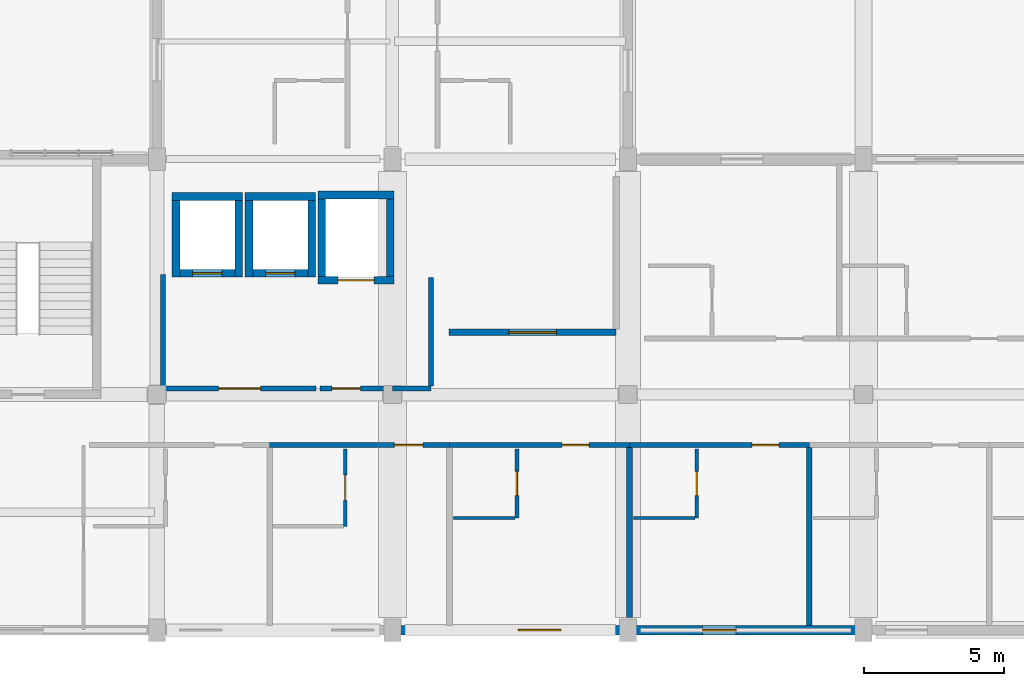
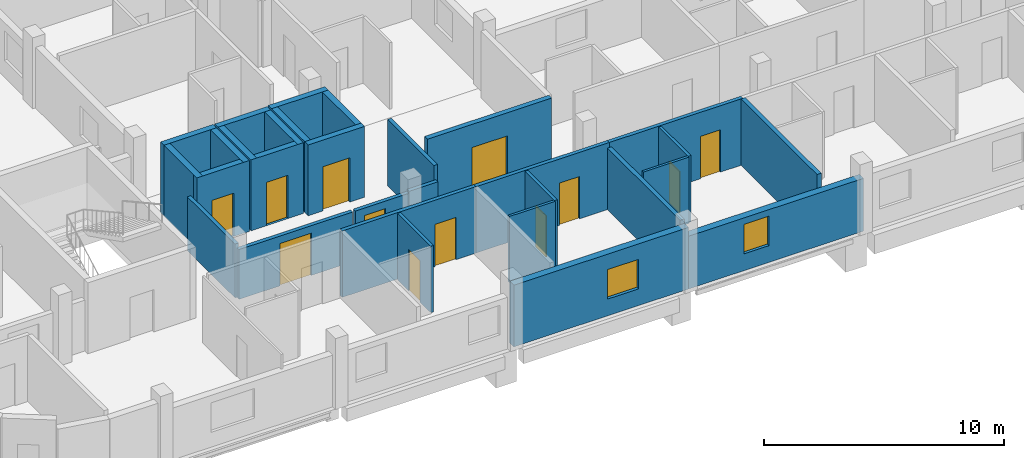
# One storey, part 28 of 42: 30 walls, 12 doors, 2 windows, 14 openings.
"""IFC4 building model written with IfcOpenShell, lengths in metres."""

from ifc_helpers import new_model, si_unit, derived_unit, direction, frame, frame_2d, origin, place, context, subcontext, project, spatial, rectangle, extrude, material, layer, layer_set, type_object, element, fill, save


model = new_model("IFC4")

# Units and contexts
model_context = context("Model", 3, precision=1e-05, world=origin(), true_north=direction((0.0, 1.0)))
body_context = subcontext(model_context, "Body", "Model", "MODEL_VIEW")
ifc_project = project(units=[si_unit("LENGTHUNIT", "METRE"), si_unit("AREAUNIT", "SQUARE_METRE"), si_unit("VOLUMEUNIT", "CUBIC_METRE"), si_unit("PLANEANGLEUNIT", "RADIAN"), si_unit("MASSUNIT", "GRAM", prefix="KILO"), derived_unit("THERMALTRANSMITTANCEUNIT", [(si_unit("POWERUNIT", "WATT"), 1), (si_unit("LENGTHUNIT", "METRE"), -2), (si_unit("THERMODYNAMICTEMPERATUREUNIT", "KELVIN"), -1)])], contexts=[model_context])

# Site, building, storey
site_placement = place(None, origin())
site = spatial("IfcSite", under=ifc_project, at=site_placement, CompositionType="ELEMENT")
building_placement = place(site_placement, origin())
building = spatial("IfcBuilding", under=site, at=building_placement, Name="Barrovel Congress Hotel", CompositionType="ELEMENT")
storey_placement = place(building_placement, frame((0.0, 0.0, 18.300048828125)))
storey = spatial("IfcBuildingStorey", under=building, at=storey_placement, Name="L04", CompositionType="ELEMENT", Elevation=18.300048828125)

# Wall, opening, window
ifc_material_1 = material(Name="Fired Clay Brick Masonry", Category="masonry")
ifc_layer_1 = layer(ifc_material_1, 0.340087890625)
ifc_layer_set_1 = layer_set([ifc_layer_1], Name="Fired Clay Brick Masonry")
wall_type_1 = type_object("IfcWallType", Name="EW-BRK340", PredefinedType="STANDARD", material=ifc_layer_set_1)
wall_1_placement = place(storey_placement, frame((42.0, 4.199951171875, 0.0), z_axis=(0.0, 0.0, 1.0), x_axis=(1.0, 0.0, 0.0)))
wall_1 = element("IfcWall", 1, at=wall_1_placement, inside=storey, type_object=wall_type_1, Name="EW:L04:HS-S:P03", PredefinedType="STANDARD", context=body_context, shape_type="SweptSolid", body=[
    extrude(rectangle(XDim=8.39990234375, YDim=0.340087890625, at=frame_2d((4.199951171875, 0.0))), origin(), (0.0, 0.0, 1.0), 3.133056640625),
])
opening_1_placement = place(wall_1_placement, frame((4.49560546875, 0.0, 0.85009765625)))
opening_1 = element("IfcOpeningElement", 2, at=opening_1_placement, cuts=wall_1, Name="Opening WN-07", PredefinedType="OPENING", context=body_context, shape_type="SweptSolid", body=[
    extrude(rectangle(XDim=1.5, YDim=1.5, at=frame_2d((0.75, 0.75))), frame((0.0, 0.18017578125, 0.0), z_axis=(0.0, -1.0, 0.0), x_axis=(1.0, 0.0, 0.0)), (0.0, 0.0, 1.0), 0.360107421875),
])
ifc_material_2 = material(Name="Double Low-E Insulated Glazing", Category="glass")
window_type_1 = type_object("IfcWindowType", Name="WIN-WN-07", PartitioningType="SINGLE_PANEL", PredefinedType="WINDOW", material=ifc_material_2)
window_1_placement = place(opening_1_placement, origin())
window_1 = element("IfcWindow", 3, at=window_1_placement, inside=storey, type_object=window_type_1, Name="WIN:L04:U04", OverallHeight=1.5, OverallWidth=1.5, PartitioningType="SINGLE_PANEL", PredefinedType="WINDOW", context=body_context, shape_type="SweptSolid", body=[
    extrude(rectangle(XDim=1.5, YDim=1.5, at=frame_2d((0.75, 0.75))), frame((0.0, 0.030029296875, 0.0), z_axis=(0.0, -1.0, 0.0), x_axis=(1.0, 0.0, 0.0)), (0.0, 0.0, 1.0), 0.06005859375),
])
fill(opening_1, window_1)

wall_2_placement = place(storey_placement, frame((50.39990234375, 4.199951171875, 0.0), z_axis=(0.0, 0.0, 1.0), x_axis=(1.0, 0.0, 0.0)))
wall_2 = element("IfcWall", 4, at=wall_2_placement, inside=storey, type_object=wall_type_1, Name="EW:L04:HS-S:P04", PredefinedType="STANDARD", context=body_context, shape_type="SweptSolid", body=[
    extrude(rectangle(XDim=8.400146484375, YDim=0.340087890625, at=frame_2d((4.2001953125, 0.0))), origin(), (0.0, 0.0, 1.0), 2.679931640625),
])
opening_2_placement = place(wall_2_placement, frame((2.66357421875, 0.0, 0.85009765625)))
opening_2 = element("IfcOpeningElement", 5, at=opening_2_placement, cuts=wall_2, Name="Opening WN-06", PredefinedType="OPENING", context=body_context, shape_type="SweptSolid", body=[
    extrude(rectangle(XDim=1.199951171875, YDim=1.5, at=frame_2d((0.60009765625, 0.75))), frame((0.0, 0.18017578125, 0.0), z_axis=(0.0, -1.0, 0.0), x_axis=(1.0, 0.0, 0.0)), (0.0, 0.0, 1.0), 0.360107421875),
])
window_type_2 = type_object("IfcWindowType", Name="WIN-WN-06", PartitioningType="SINGLE_PANEL", PredefinedType="WINDOW", material=ifc_material_2)
window_2_placement = place(opening_2_placement, origin())
window_2 = element("IfcWindow", 6, at=window_2_placement, inside=storey, type_object=window_type_2, Name="WIN:L04:U05", OverallHeight=1.5, OverallWidth=1.199951171875, PartitioningType="SINGLE_PANEL", PredefinedType="WINDOW", context=body_context, shape_type="SweptSolid", body=[
    extrude(rectangle(XDim=1.199951171875, YDim=1.5, at=frame_2d((0.60009765625, 0.75))), frame((0.0, 0.030029296875, 0.0), z_axis=(0.0, -1.0, 0.0), x_axis=(1.0, 0.0, 0.0)), (0.0, 0.0, 1.0), 0.06005859375),
])
fill(opening_2, window_2)

# Wall, opening, door
ifc_material_3 = material(Name="Gypsum Acoustic Stud", Category="gypsum")
ifc_layer_2 = layer(ifc_material_3, 0.179931640625)
ifc_layer_set_2 = layer_set([ifc_layer_2], Name="Gypsum Acoustic Stud")
wall_type_2 = type_object("IfcWallType", Name="PW-ACU-180", PredefinedType="PARTITIONING", material=ifc_layer_set_2)
wall_3_placement = place(storey_placement, frame((37.6181640625, 10.800048828125, 0.0), z_axis=(0.0, 0.0, 1.0), x_axis=(1.0, 0.0, 0.0)))
wall_3 = element("IfcWall", 7, at=wall_3_placement, inside=storey, type_object=wall_type_2, Name="PW:L04:U03:COR", PredefinedType="PARTITIONING", context=body_context, shape_type="SweptSolid", body=[
    extrude(rectangle(XDim=6.418212890625, YDim=0.179931640625, at=frame_2d((3.208984375, 0.0))), origin(), (0.0, 0.0, 1.0), 3.375),
])
opening_3_placement = place(wall_3_placement, frame((4.4501953125, 0.0, 0.0)))
opening_3 = element("IfcOpeningElement", 8, at=opening_3_placement, cuts=wall_3, Name="Opening ID-ACC", PredefinedType="OPENING", context=body_context, shape_type="SweptSolid", body=[
    extrude(rectangle(XDim=1.02001953125, YDim=2.14990234375, at=frame_2d((0.510009765625, 1.074951171875))), frame((0.0, 0.10009765625, 0.0), z_axis=(0.0, -1.0, 0.0), x_axis=(1.0, 0.0, 0.0)), (0.0, 0.0, 1.0), 0.199951171875),
])
ifc_material_4 = material(Name="Solid Oak Acoustic Timber Door", Category="wood")
door_type_1 = type_object("IfcDoorType", Name="IDR-ID-ACC", OperationType="NOTDEFINED", PredefinedType="DOOR", material=ifc_material_4)
door_1_placement = place(opening_3_placement, origin())
door_1 = element("IfcDoor", 9, at=door_1_placement, inside=storey, type_object=door_type_1, Name="DR:L04:U03:ENT", OperationType="SINGLE_SWING_RIGHT", OverallHeight=2.14990234375, OverallWidth=1.02001953125, PredefinedType="DOOR", context=body_context, shape_type="SweptSolid", body=[
    extrude(rectangle(XDim=1.02001953125, YDim=2.14990234375, at=frame_2d((0.510009765625, 1.074951171875))), frame((0.0, 0.02490234375, 0.0), z_axis=(0.0, -1.0, 0.0), x_axis=(1.0, 0.0, 0.0)), (0.0, 0.0, 1.0), 0.050048828125),
])
fill(opening_3, door_1)

wall_4_placement = place(storey_placement, frame((44.036376953125, 10.800048828125, 0.0), z_axis=(0.0, 0.0, 1.0), x_axis=(1.0, 0.0, 0.0)))
wall_4 = element("IfcWall", 10, at=wall_4_placement, inside=storey, type_object=wall_type_2, Name="PW:L04:U04:COR", PredefinedType="PARTITIONING", context=body_context, shape_type="SweptSolid", body=[
    extrude(rectangle(XDim=6.418212890625, YDim=0.179931640625, at=frame_2d((3.208984375, 0.0))), origin(), (0.0, 0.0, 1.0), 3.375),
])
opening_4_placement = place(wall_4_placement, frame((4.01611328125, 0.0, 0.0)))
opening_4 = element("IfcOpeningElement", 11, at=opening_4_placement, cuts=wall_4, Name="Opening ID-HTL", PredefinedType="OPENING", context=body_context, shape_type="SweptSolid", body=[
    extrude(rectangle(XDim=0.9599609375, YDim=2.14990234375, at=frame_2d((0.47998046875, 1.074951171875))), frame((0.0, 0.10009765625, 0.0), z_axis=(0.0, -1.0, 0.0), x_axis=(1.0, 0.0, 0.0)), (0.0, 0.0, 1.0), 0.199951171875),
])
door_type_2 = type_object("IfcDoorType", Name="IDR-ID-HTL", OperationType="NOTDEFINED", PredefinedType="DOOR", material=ifc_material_4)
door_2_placement = place(opening_4_placement, origin())
door_2 = element("IfcDoor", 12, at=door_2_placement, inside=storey, type_object=door_type_2, Name="DR:L04:U04:ENT", OperationType="SINGLE_SWING_RIGHT", OverallHeight=2.14990234375, OverallWidth=0.9599609375, PredefinedType="DOOR", context=body_context, shape_type="SweptSolid", body=[
    extrude(rectangle(XDim=0.9599609375, YDim=2.14990234375, at=frame_2d((0.47998046875, 1.074951171875))), frame((0.0, 0.02490234375, 0.0), z_axis=(0.0, -1.0, 0.0), x_axis=(1.0, 0.0, 0.0)), (0.0, 0.0, 1.0), 0.050048828125),
])
fill(opening_4, door_2)

wall_5_placement = place(storey_placement, frame((50.45458984375, 10.800048828125, 0.0), z_axis=(0.0, 0.0, 1.0), x_axis=(1.0, 0.0, 0.0)))
wall_5 = element("IfcWall", 13, at=wall_5_placement, inside=storey, type_object=wall_type_2, Name="PW:L04:U05:COR", PredefinedType="PARTITIONING", context=body_context, shape_type="SweptSolid", body=[
    extrude(rectangle(XDim=6.418212890625, YDim=0.179931640625, at=frame_2d((3.208984375, 0.0))), origin(), (0.0, 0.0, 1.0), 3.375),
])
opening_5_placement = place(wall_5_placement, frame((4.3662109375, 0.0, 0.0)))
opening_5 = element("IfcOpeningElement", 14, at=opening_5_placement, cuts=wall_5, Name="Opening ID-HTL", PredefinedType="OPENING", context=body_context, shape_type="SweptSolid", body=[
    extrude(rectangle(XDim=0.9599609375, YDim=2.14990234375, at=frame_2d((0.47998046875, 1.074951171875))), frame((0.0, 0.10009765625, 0.0), z_axis=(0.0, -1.0, 0.0), x_axis=(1.0, 0.0, 0.0)), (0.0, 0.0, 1.0), 0.199951171875),
])
door_3_placement = place(opening_5_placement, origin())
door_3 = element("IfcDoor", 15, at=door_3_placement, inside=storey, type_object=door_type_2, Name="DR:L04:U05:ENT", OperationType="SINGLE_SWING_RIGHT", OverallHeight=2.14990234375, OverallWidth=0.9599609375, PredefinedType="DOOR", context=body_context, shape_type="SweptSolid", body=[
    extrude(rectangle(XDim=0.9599609375, YDim=2.14990234375, at=frame_2d((0.47998046875, 1.074951171875))), frame((0.0, 0.02490234375, 0.0), z_axis=(0.0, -1.0, 0.0), x_axis=(1.0, 0.0, 0.0)), (0.0, 0.0, 1.0), 0.050048828125),
])
fill(opening_5, door_3)

wall_6_placement = place(storey_placement, frame((33.820068359375, 12.820068359375, 0.0), z_axis=(0.0, 0.0, 1.0), x_axis=(1.0, 0.0, 0.0)))
wall_6 = element("IfcWall", 16, at=wall_6_placement, inside=storey, type_object=wall_type_2, Name="RW:SP:L04:LL-C1:S", PredefinedType="PARTITIONING", context=body_context, shape_type="SweptSolid", body=[
    extrude(rectangle(XDim=5.4599609375, YDim=0.179931640625, at=frame_2d((2.72998046875, 0.0))), origin(), (0.0, 0.0, 1.0), 2.530029296875),
])
opening_6_placement = place(wall_6_placement, frame((1.97998046875, 0.0, 0.0)))
opening_6 = element("IfcOpeningElement", 17, at=opening_6_placement, cuts=wall_6, Name="Opening ID-FFL", PredefinedType="OPENING", context=body_context, shape_type="SweptSolid", body=[
    extrude(rectangle(XDim=1.5, YDim=2.14990234375, at=frame_2d((0.75, 1.074951171875))), frame((0.0, 0.10009765625, 0.0), z_axis=(0.0, -1.0, 0.0), x_axis=(1.0, 0.0, 0.0)), (0.0, 0.0, 1.0), 0.199951171875),
])
ifc_material_5 = material(Name="Painted Hollow-Metal Steel Door", Category="steel")
door_type_3 = type_object("IfcDoorType", Name="IDR-ID-FFL", OperationType="NOTDEFINED", PredefinedType="DOOR", material=ifc_material_5)
door_4_placement = place(opening_6_placement, origin())
door_4 = element("IfcDoor", 18, at=door_4_placement, inside=storey, type_object=door_type_3, Name="RD:SP:L04:LL-C1", OperationType="DOUBLE_DOOR_SINGLE_SWING", OverallHeight=2.14990234375, OverallWidth=1.5, PredefinedType="DOOR", context=body_context, shape_type="SweptSolid", body=[
    extrude(rectangle(XDim=1.5, YDim=2.14990234375, at=frame_2d((0.75, 1.074951171875))), frame((0.0, 0.02490234375, 0.0), z_axis=(0.0, -1.0, 0.0), x_axis=(1.0, 0.0, 0.0)), (0.0, 0.0, 1.0), 0.050048828125),
])
fill(opening_6, door_4)

# Wall
wall_7_placement = place(storey_placement, frame((33.820068359375, 12.909912109375, 0.0), z_axis=(0.0, 0.0, 1.0), x_axis=(0.0, 1.0, 0.0)))
element("IfcWall", 19, at=wall_7_placement, inside=storey, type_object=wall_type_2, Name="RW:SP:L04:LL-C1:W", PredefinedType="PARTITIONING", context=body_context, shape_type="SweptSolid", body=[
    extrude(rectangle(XDim=3.969970703125, YDim=0.179931640625, at=frame_2d((1.98486328125, 0.0))), origin(), (0.0, 0.0, 1.0), 2.72998046875),
])

# Wall, opening, door
wall_8_placement = place(storey_placement, frame((39.419921875, 12.820068359375, 0.0), z_axis=(0.0, 0.0, 1.0), x_axis=(1.0, 0.0, 0.0)))
wall_8 = element("IfcWall", 20, at=wall_8_placement, inside=storey, type_object=wall_type_2, Name="RW:SP:L04:LL-SL1:S", PredefinedType="PARTITIONING", context=body_context, shape_type="SweptSolid", body=[
    extrude(rectangle(XDim=2.580078125, YDim=0.179931640625, at=frame_2d((1.2900390625, 0.0))), origin(), (0.0, 0.0, 1.0), 2.530029296875),
])
opening_7_placement = place(wall_8_placement, frame((0.419921875, 0.0, 0.0)))
opening_7 = element("IfcOpeningElement", 21, at=opening_7_placement, cuts=wall_8, Name="Opening ID-ACC", PredefinedType="OPENING", context=body_context, shape_type="SweptSolid", body=[
    extrude(rectangle(XDim=1.02001953125, YDim=2.14990234375, at=frame_2d((0.510009765625, 1.074951171875))), frame((0.0, 0.10009765625, 0.0), z_axis=(0.0, -1.0, 0.0), x_axis=(1.0, 0.0, 0.0)), (0.0, 0.0, 1.0), 0.199951171875),
])
door_5_placement = place(opening_7_placement, origin())
door_5 = element("IfcDoor", 22, at=door_5_placement, inside=storey, type_object=door_type_1, Name="RD:SP:L04:LL-SL1", OperationType="SINGLE_SWING_RIGHT", OverallHeight=2.14990234375, OverallWidth=1.02001953125, PredefinedType="DOOR", context=body_context, shape_type="SweptSolid", body=[
    extrude(rectangle(XDim=1.02001953125, YDim=2.14990234375, at=frame_2d((0.510009765625, 1.074951171875))), frame((0.0, 0.02490234375, 0.0), z_axis=(0.0, -1.0, 0.0), x_axis=(1.0, 0.0, 0.0)), (0.0, 0.0, 1.0), 0.050048828125),
])
fill(opening_7, door_5)

# Walls
wall_9_placement = place(storey_placement, frame((43.3798828125, 12.909912109375, 0.0), z_axis=(0.0, 0.0, 1.0), x_axis=(0.0, 1.0, 0.0)))
element("IfcWall", 23, at=wall_9_placement, inside=storey, type_object=wall_type_2, Name="RW:SP:L04:LL-SL1:E", PredefinedType="PARTITIONING", context=body_context, shape_type="SweptSolid", body=[
    extrude(rectangle(XDim=3.8701171875, YDim=0.179931640625, at=frame_2d((1.93505859375, 0.0))), origin(), (0.0, 0.0, 1.0), 3.375),
])
wall_10_placement = place(storey_placement, frame((42.0, 12.820068359375, 0.0), z_axis=(0.0, 0.0, 1.0), x_axis=(1.0, 0.0, 0.0)))
element("IfcWall", 24, at=wall_10_placement, inside=storey, type_object=wall_type_2, Name="RW:SP:L04:LL-SL1:S:P02", PredefinedType="PARTITIONING", context=body_context, shape_type="SweptSolid", body=[
    extrude(rectangle(XDim=1.3798828125, YDim=0.179931640625, at=frame_2d((0.68994140625, 0.0))), origin(), (0.0, 0.0, 1.0), 2.6298828125),
])
ifc_layer_3 = layer(ifc_material_3, 0.1201171875)
ifc_layer_set_3 = layer_set([ifc_layer_3], Name="Gypsum Acoustic Stud")
wall_type_3 = type_object("IfcWallType", Name="PW-INT-120", PredefinedType="PARTITIONING", material=ifc_layer_set_3)
for number, where, z_axis, x_axis, name in (
    (25, (44.176513671875, 8.199951171875, 0.0), (0.0, 0.0, 1.0), (1.0, 0.0, 0.0), "PW:L04:U04:B2"),
    (26, (50.594482421875, 8.199951171875, 0.0), (0.0, 0.0, 1.0), (1.0, 0.0, 0.0), "PW:L04:U05:B2"),
):
    element("IfcWall", number, at=place(storey_placement, frame(where, z_axis=z_axis, x_axis=x_axis)), inside=storey, type_object=wall_type_3, Name=name, PredefinedType="PARTITIONING", context=body_context, shape_type="SweptSolid", body=[
        extrude(rectangle(XDim=2.18994140625, YDim=0.1201171875, at=frame_2d((1.094970703125, 0.0))), origin(), (0.0, 0.0, 1.0), 3.375),
    ])
ifc_layer_4 = layer(ifc_material_1, 0.199951171875)
ifc_layer_set_4 = layer_set([ifc_layer_4], Name="Fired Clay Brick Masonry")
wall_type_4 = type_object("IfcWallType", Name="PW-MAS-200", PredefinedType="PARTITIONING", material=ifc_layer_set_4)
wall_11_placement = place(storey_placement, frame((50.45458984375, 4.64990234375, 0.0), z_axis=(0.0, 0.0, 1.0), x_axis=(0.0, 1.0, 0.0)))
element("IfcWall", 27, at=wall_11_placement, inside=storey, type_object=wall_type_4, Name="PW:L04:U04:DEM", PredefinedType="PARTITIONING", context=body_context, shape_type="SweptSolid", body=[
    extrude(rectangle(XDim=6.06005859375, YDim=0.199951171875, at=frame_2d((3.030029296875, 0.0))), origin(), (0.0, 0.0, 1.0), 3.1259765625),
])
wall_12_placement = place(storey_placement, frame((56.872802734375, 4.3701171875, 0.0), z_axis=(0.0, 0.0, 1.0), x_axis=(0.0, 1.0, 0.0)))
element("IfcWall", 28, at=wall_12_placement, inside=storey, type_object=wall_type_4, Name="PW:L04:U05:DEM", PredefinedType="PARTITIONING", context=body_context, shape_type="SweptSolid", body=[
    extrude(rectangle(XDim=6.33984375, YDim=0.199951171875, at=frame_2d((3.169921875, 0.0))), origin(), (0.0, 0.0, 1.0), 3.375),
])

# Wall, opening, door
ifc_layer_5 = layer(ifc_material_1, 0.239990234375)
ifc_layer_set_5 = layer_set([ifc_layer_5], Name="Fired Clay Brick Masonry")
wall_type_5 = type_object("IfcWallType", Name="PW-MAS-240", PredefinedType="PARTITIONING", material=ifc_layer_set_5)
wall_13_placement = place(storey_placement, frame((44.02001953125, 14.820068359375, 0.0), z_axis=(0.0, 0.0, 1.0), x_axis=(1.0, 0.0, 0.0)))
wall_13 = element("IfcWall", 29, at=wall_13_placement, inside=storey, type_object=wall_type_5, Name="RW:SP:L04:LINEN:S", PredefinedType="PARTITIONING", context=body_context, shape_type="SweptSolid", body=[
    extrude(rectangle(XDim=5.9599609375, YDim=0.239990234375, at=frame_2d((2.97998046875, 0.0))), origin(), (0.0, 0.0, 1.0), 3.375),
])
opening_8_placement = place(wall_13_placement, frame((2.1298828125, 0.0, 0.0)))
opening_8 = element("IfcOpeningElement", 30, at=opening_8_placement, cuts=wall_13, Name="Opening ID-KIT", PredefinedType="OPENING", context=body_context, shape_type="SweptSolid", body=[
    extrude(rectangle(XDim=1.699951171875, YDim=2.199951171875, at=frame_2d((0.85009765625, 1.10009765625))), frame((0.0, 0.1298828125, 0.0), z_axis=(0.0, -1.0, 0.0), x_axis=(1.0, 0.0, 0.0)), (0.0, 0.0, 1.0), 0.260009765625),
])
ifc_material_6 = material(Name="Brushed Stainless Steel", Category="steel")
door_type_4 = type_object("IfcDoorType", Name="IDR-ID-KIT", OperationType="NOTDEFINED", PredefinedType="DOOR", material=ifc_material_6)
door_6_placement = place(opening_8_placement, origin())
door_6 = element("IfcDoor", 31, at=door_6_placement, inside=storey, type_object=door_type_4, Name="RD:SP:L04:LINEN", OperationType="DOUBLE_DOOR_SINGLE_SWING", OverallHeight=2.199951171875, OverallWidth=1.699951171875, PredefinedType="DOOR", context=body_context, shape_type="SweptSolid", body=[
    extrude(rectangle(XDim=1.699951171875, YDim=2.199951171875, at=frame_2d((0.85009765625, 1.10009765625))), frame((0.0, 0.02490234375, 0.0), z_axis=(0.0, -1.0, 0.0), x_axis=(1.0, 0.0, 0.0)), (0.0, 0.0, 1.0), 0.050048828125),
])
fill(opening_8, door_6)

ifc_material_7 = material(Name="Gypsum Moisture Board", Category="gypsum")
ifc_layer_6 = layer(ifc_material_7, 0.139892578125)
ifc_layer_set_6 = layer_set([ifc_layer_6], Name="Gypsum Moisture Board")
wall_type_6 = type_object("IfcWallType", Name="PW-WET-140", PredefinedType="PARTITIONING", material=ifc_layer_set_6)
wall_14_placement = place(storey_placement, frame((40.318115234375, 7.89990234375, 0.0), z_axis=(0.0, 0.0, 1.0), x_axis=(0.0, 1.0, 0.0)))
wall_14 = element("IfcWall", 32, at=wall_14_placement, inside=storey, type_object=wall_type_6, Name="PW:L04:U03:B1", PredefinedType="PARTITIONING", context=body_context, shape_type="SweptSolid", body=[
    extrude(rectangle(XDim=2.760009765625, YDim=0.139892578125, at=frame_2d((1.3798828125, 0.0))), origin(), (0.0, 0.0, 1.0), 3.375),
])
opening_9_placement = place(wall_14_placement, frame((0.919921875, 0.0, 0.0)))
opening_9 = element("IfcOpeningElement", 33, at=opening_9_placement, cuts=wall_14, Name="Opening ID-EA2", PredefinedType="OPENING", context=body_context, shape_type="SweptSolid", body=[
    extrude(rectangle(XDim=0.919921875, YDim=2.10009765625, at=frame_2d((0.4599609375, 1.050048828125))), frame((0.0, 0.080078125, 0.0), z_axis=(0.0, -1.0, 0.0), x_axis=(1.0, 0.0, 0.0)), (0.0, 0.0, 1.0), 0.159912109375),
])
ifc_material_8 = material(Name="Lacquered Timber Moisture Door", Category="wood")
door_type_5 = type_object("IfcDoorType", Name="IDR-ID-EA2", OperationType="NOTDEFINED", PredefinedType="DOOR", material=ifc_material_8)
door_7_placement = place(opening_9_placement, origin())
door_7 = element("IfcDoor", 34, at=door_7_placement, inside=storey, type_object=door_type_5, Name="DR:L04:U03:ENS", OperationType="SINGLE_SWING_LEFT", OverallHeight=2.10009765625, OverallWidth=0.919921875, PredefinedType="DOOR", context=body_context, shape_type="SweptSolid", body=[
    extrude(rectangle(XDim=0.919921875, YDim=2.10009765625, at=frame_2d((0.4599609375, 1.050048828125))), frame((0.0, 0.02490234375, 0.0), z_axis=(0.0, -1.0, 0.0), x_axis=(1.0, 0.0, 0.0)), (0.0, 0.0, 1.0), 0.050048828125),
])
fill(opening_9, door_7)

wall_15_placement = place(storey_placement, frame((46.436279296875, 8.199951171875, 0.0), z_axis=(0.0, 0.0, 1.0), x_axis=(0.0, 1.0, 0.0)))
wall_15 = element("IfcWall", 35, at=wall_15_placement, inside=storey, type_object=wall_type_6, Name="PW:L04:U04:B1", PredefinedType="PARTITIONING", context=body_context, shape_type="SweptSolid", body=[
    extrude(rectangle(XDim=2.4599609375, YDim=0.139892578125, at=frame_2d((1.22998046875, 0.0))), origin(), (0.0, 0.0, 1.0), 3.375),
])
opening_10_placement = place(wall_15_placement, frame((0.800048828125, 0.0, 0.0)))
opening_10 = element("IfcOpeningElement", 36, at=opening_10_placement, cuts=wall_15, Name="Opening ID-ENS", PredefinedType="OPENING", context=body_context, shape_type="SweptSolid", body=[
    extrude(rectangle(XDim=0.860107421875, YDim=2.10009765625, at=frame_2d((0.43017578125, 1.050048828125))), frame((0.0, 0.080078125, 0.0), z_axis=(0.0, -1.0, 0.0), x_axis=(1.0, 0.0, 0.0)), (0.0, 0.0, 1.0), 0.159912109375),
])
door_type_6 = type_object("IfcDoorType", Name="IDR-ID-ENS", OperationType="NOTDEFINED", PredefinedType="DOOR", material=ifc_material_8)
door_8_placement = place(opening_10_placement, origin())
door_8 = element("IfcDoor", 37, at=door_8_placement, inside=storey, type_object=door_type_6, Name="DR:L04:U04:ENS", OperationType="SINGLE_SWING_LEFT", OverallHeight=2.10009765625, OverallWidth=0.860107421875, PredefinedType="DOOR", context=body_context, shape_type="SweptSolid", body=[
    extrude(rectangle(XDim=0.860107421875, YDim=2.10009765625, at=frame_2d((0.43017578125, 1.050048828125))), frame((0.0, 0.02490234375, 0.0), z_axis=(0.0, -1.0, 0.0), x_axis=(1.0, 0.0, 0.0)), (0.0, 0.0, 1.0), 0.050048828125),
])
fill(opening_10, door_8)

wall_16_placement = place(storey_placement, frame((52.8544921875, 8.199951171875, 0.0), z_axis=(0.0, 0.0, 1.0), x_axis=(0.0, 1.0, 0.0)))
wall_16 = element("IfcWall", 38, at=wall_16_placement, inside=storey, type_object=wall_type_6, Name="PW:L04:U05:B1", PredefinedType="PARTITIONING", context=body_context, shape_type="SweptSolid", body=[
    extrude(rectangle(XDim=2.4599609375, YDim=0.139892578125, at=frame_2d((1.22998046875, 0.0))), origin(), (0.0, 0.0, 1.0), 3.375),
])
opening_11_placement = place(wall_16_placement, frame((0.800048828125, 0.0, 0.0)))
opening_11 = element("IfcOpeningElement", 39, at=opening_11_placement, cuts=wall_16, Name="Opening ID-ENS", PredefinedType="OPENING", context=body_context, shape_type="SweptSolid", body=[
    extrude(rectangle(XDim=0.860107421875, YDim=2.10009765625, at=frame_2d((0.43017578125, 1.050048828125))), frame((0.0, 0.080078125, 0.0), z_axis=(0.0, -1.0, 0.0), x_axis=(1.0, 0.0, 0.0)), (0.0, 0.0, 1.0), 0.159912109375),
])
door_9_placement = place(opening_11_placement, origin())
door_9 = element("IfcDoor", 40, at=door_9_placement, inside=storey, type_object=door_type_6, Name="DR:L04:U05:ENS", OperationType="SINGLE_SWING_LEFT", OverallHeight=2.10009765625, OverallWidth=0.860107421875, PredefinedType="DOOR", context=body_context, shape_type="SweptSolid", body=[
    extrude(rectangle(XDim=0.860107421875, YDim=2.10009765625, at=frame_2d((0.43017578125, 1.050048828125))), frame((0.0, 0.02490234375, 0.0), z_axis=(0.0, -1.0, 0.0), x_axis=(1.0, 0.0, 0.0)), (0.0, 0.0, 1.0), 0.050048828125),
])
fill(opening_11, door_9)

ifc_material_9 = material(Name="Concrete C40", Category="concrete")
ifc_layer_7 = layer(ifc_material_9, 0.280029296875)
ifc_layer_set_7 = layer_set([ifc_layer_7], Name="Concrete C40")
wall_type_7 = type_object("IfcWallType", Name="SW-C40-280", PredefinedType="SHEAR", material=ifc_layer_set_7)
wall_17_placement = place(storey_placement, frame((34.139892578125, 16.929931640625, 0.0), z_axis=(0.0, 0.0, 1.0), x_axis=(1.0, 0.0, 0.0)))
wall_17 = element("IfcWall", 41, at=wall_17_placement, inside=storey, type_object=wall_type_7, Name="LSH:PL-1:L04:S", PredefinedType="SHEAR", context=body_context, shape_type="SweptSolid", body=[
    extrude(rectangle(XDim=2.52001953125, YDim=0.280029296875, at=frame_2d((1.260009765625, 0.0))), origin(), (0.0, 0.0, 1.0), 3.599853515625),
])
opening_12_placement = place(wall_17_placement, frame((0.735107421875, 0.0, 0.0)))
opening_12 = element("IfcOpeningElement", 42, at=opening_12_placement, cuts=wall_17, Name="Opening LD-PAX", PredefinedType="OPENING", context=body_context, shape_type="SweptSolid", body=[
    extrude(rectangle(XDim=1.050048828125, YDim=2.199951171875, at=frame_2d((0.52490234375, 1.10009765625))), frame((0.0, 0.14990234375, 0.0), z_axis=(0.0, -1.0, 0.0), x_axis=(1.0, 0.0, 0.0)), (0.0, 0.0, 1.0), 0.300048828125),
])
door_type_7 = type_object("IfcDoorType", Name="IDR-LD-PAX", OperationType="NOTDEFINED", PredefinedType="DOOR", material=ifc_material_6)
door_10_placement = place(opening_12_placement, origin())
door_10 = element("IfcDoor", 43, at=door_10_placement, inside=storey, type_object=door_type_7, Name="Lift Landing Door LD-PL-1-L04", OperationType="SLIDING_TO_LEFT", OverallHeight=2.199951171875, OverallWidth=1.050048828125, PredefinedType="DOOR", context=body_context, shape_type="SweptSolid", body=[
    extrude(rectangle(XDim=1.050048828125, YDim=2.199951171875, at=frame_2d((0.52490234375, 1.10009765625))), frame((0.0, 0.02490234375, 0.0), z_axis=(0.0, -1.0, 0.0), x_axis=(1.0, 0.0, 0.0)), (0.0, 0.0, 1.0), 0.050048828125),
])
fill(opening_12, door_10)

# Walls
wall_18_placement = place(storey_placement, frame((36.52001953125, 16.7900390625, 0.0), z_axis=(0.0, 0.0, 1.0), x_axis=(0.0, 1.0, 0.0)))
element("IfcWall", 44, at=wall_18_placement, inside=storey, type_object=wall_type_7, Name="LSH:PL-1:L04:E", PredefinedType="SHEAR", context=body_context, shape_type="SweptSolid", body=[
    extrude(rectangle(XDim=3.02001953125, YDim=0.280029296875, at=frame_2d((1.510009765625, 0.0))), origin(), (0.0, 0.0, 1.0), 3.599853515625),
])
wall_19_placement = place(storey_placement, frame((36.659912109375, 19.669921875, 0.0), z_axis=(0.0, 0.0, 1.0), x_axis=(-1.0, 0.0, 0.0)))
element("IfcWall", 45, at=wall_19_placement, inside=storey, type_object=wall_type_7, Name="LSH:PL-1:L04:N", PredefinedType="SHEAR", context=body_context, shape_type="SweptSolid", body=[
    extrude(rectangle(XDim=2.52001953125, YDim=0.280029296875, at=frame_2d((1.260009765625, 0.0))), origin(), (0.0, 0.0, 1.0), 3.599853515625),
])
wall_20_placement = place(storey_placement, frame((34.280029296875, 19.81005859375, 0.0), z_axis=(0.0, 0.0, 1.0), x_axis=(0.0, -1.0, 0.0)))
element("IfcWall", 46, at=wall_20_placement, inside=storey, type_object=wall_type_7, Name="LSH:PL-1:L04:W", PredefinedType="SHEAR", context=body_context, shape_type="SweptSolid", body=[
    extrude(rectangle(XDim=3.02001953125, YDim=0.280029296875, at=frame_2d((1.510009765625, 0.0))), origin(), (0.0, 0.0, 1.0), 3.599853515625),
])

# Wall, opening, door
wall_21_placement = place(storey_placement, frame((36.739990234375, 16.929931640625, 0.0), z_axis=(0.0, 0.0, 1.0), x_axis=(1.0, 0.0, 0.0)))
wall_21 = element("IfcWall", 47, at=wall_21_placement, inside=storey, type_object=wall_type_7, Name="LSH:PL-2:L04:S", PredefinedType="SHEAR", context=body_context, shape_type="SweptSolid", body=[
    extrude(rectangle(XDim=2.52001953125, YDim=0.280029296875, at=frame_2d((1.260009765625, 0.0))), origin(), (0.0, 0.0, 1.0), 3.599853515625),
])
opening_13_placement = place(wall_21_placement, frame((0.735107421875, 0.0, 0.0)))
opening_13 = element("IfcOpeningElement", 48, at=opening_13_placement, cuts=wall_21, Name="Opening LD-PAX", PredefinedType="OPENING", context=body_context, shape_type="SweptSolid", body=[
    extrude(rectangle(XDim=1.050048828125, YDim=2.199951171875, at=frame_2d((0.52490234375, 1.10009765625))), frame((0.0, 0.14990234375, 0.0), z_axis=(0.0, -1.0, 0.0), x_axis=(1.0, 0.0, 0.0)), (0.0, 0.0, 1.0), 0.300048828125),
])
door_11_placement = place(opening_13_placement, origin())
door_11 = element("IfcDoor", 49, at=door_11_placement, inside=storey, type_object=door_type_7, Name="Lift Landing Door LD-PL-2-L04", OperationType="SLIDING_TO_LEFT", OverallHeight=2.199951171875, OverallWidth=1.050048828125, PredefinedType="DOOR", context=body_context, shape_type="SweptSolid", body=[
    extrude(rectangle(XDim=1.050048828125, YDim=2.199951171875, at=frame_2d((0.52490234375, 1.10009765625))), frame((0.0, 0.02490234375, 0.0), z_axis=(0.0, -1.0, 0.0), x_axis=(1.0, 0.0, 0.0)), (0.0, 0.0, 1.0), 0.050048828125),
])
fill(opening_13, door_11)

# Walls
wall_22_placement = place(storey_placement, frame((39.1201171875, 16.7900390625, 0.0), z_axis=(0.0, 0.0, 1.0), x_axis=(0.0, 1.0, 0.0)))
element("IfcWall", 50, at=wall_22_placement, inside=storey, type_object=wall_type_7, Name="LSH:PL-2:L04:E", PredefinedType="SHEAR", context=body_context, shape_type="SweptSolid", body=[
    extrude(rectangle(XDim=3.02001953125, YDim=0.280029296875, at=frame_2d((1.510009765625, 0.0))), origin(), (0.0, 0.0, 1.0), 3.599853515625),
])
wall_23_placement = place(storey_placement, frame((39.260009765625, 19.669921875, 0.0), z_axis=(0.0, 0.0, 1.0), x_axis=(-1.0, 0.0, 0.0)))
element("IfcWall", 51, at=wall_23_placement, inside=storey, type_object=wall_type_7, Name="LSH:PL-2:L04:N", PredefinedType="SHEAR", context=body_context, shape_type="SweptSolid", body=[
    extrude(rectangle(XDim=2.52001953125, YDim=0.280029296875, at=frame_2d((1.260009765625, 0.0))), origin(), (0.0, 0.0, 1.0), 3.599853515625),
])
wall_24_placement = place(storey_placement, frame((36.8798828125, 19.81005859375, 0.0), z_axis=(0.0, 0.0, 1.0), x_axis=(0.0, -1.0, 0.0)))
element("IfcWall", 52, at=wall_24_placement, inside=storey, type_object=wall_type_7, Name="LSH:PL-2:L04:W", PredefinedType="SHEAR", context=body_context, shape_type="SweptSolid", body=[
    extrude(rectangle(XDim=3.02001953125, YDim=0.280029296875, at=frame_2d((1.510009765625, 0.0))), origin(), (0.0, 0.0, 1.0), 3.599853515625),
])

# Wall, opening, door
wall_25_placement = place(storey_placement, frame((39.340087890625, 16.679931640625, 0.0), z_axis=(0.0, 0.0, 1.0), x_axis=(1.0, 0.0, 0.0)))
wall_25 = element("IfcWall", 53, at=wall_25_placement, inside=storey, type_object=wall_type_7, Name="LSH:SL-1:L04:S", PredefinedType="SHEAR", context=body_context, shape_type="SweptSolid", body=[
    extrude(rectangle(XDim=2.719970703125, YDim=0.280029296875, at=frame_2d((1.35986328125, 0.0))), origin(), (0.0, 0.0, 1.0), 3.599853515625),
])
opening_14_placement = place(wall_25_placement, frame((0.7099609375, 0.0, 0.0)))
opening_14 = element("IfcOpeningElement", 54, at=opening_14_placement, cuts=wall_25, Name="Opening LD-SRV", PredefinedType="OPENING", context=body_context, shape_type="SweptSolid", body=[
    extrude(rectangle(XDim=1.300048828125, YDim=2.25, at=frame_2d((0.64990234375, 1.125))), frame((0.0, 0.14990234375, 0.0), z_axis=(0.0, -1.0, 0.0), x_axis=(1.0, 0.0, 0.0)), (0.0, 0.0, 1.0), 0.300048828125),
])
door_type_8 = type_object("IfcDoorType", Name="IDR-LD-SRV", OperationType="NOTDEFINED", PredefinedType="DOOR", material=ifc_material_6)
door_12_placement = place(opening_14_placement, origin())
door_12 = element("IfcDoor", 55, at=door_12_placement, inside=storey, type_object=door_type_8, Name="Lift Landing Door LD-SL-1-L04", OperationType="SLIDING_TO_LEFT", OverallHeight=2.25, OverallWidth=1.300048828125, PredefinedType="DOOR", context=body_context, shape_type="SweptSolid", body=[
    extrude(rectangle(XDim=1.300048828125, YDim=2.25, at=frame_2d((0.64990234375, 1.125))), frame((0.0, 0.02490234375, 0.0), z_axis=(0.0, -1.0, 0.0), x_axis=(1.0, 0.0, 0.0)), (0.0, 0.0, 1.0), 0.050048828125),
])
fill(opening_14, door_12)

# Walls
wall_26_placement = place(storey_placement, frame((41.919921875, 16.5400390625, 0.0), z_axis=(0.0, 0.0, 1.0), x_axis=(0.0, 1.0, 0.0)))
element("IfcWall", 56, at=wall_26_placement, inside=storey, type_object=wall_type_7, Name="LSH:SL-1:L04:E", PredefinedType="SHEAR", context=body_context, shape_type="SweptSolid", body=[
    extrude(rectangle(XDim=3.320068359375, YDim=0.280029296875, at=frame_2d((1.66015625, 0.0))), origin(), (0.0, 0.0, 1.0), 3.599853515625),
])
wall_27_placement = place(storey_placement, frame((42.06005859375, 19.719970703125, 0.0), z_axis=(0.0, 0.0, 1.0), x_axis=(-1.0, 0.0, 0.0)))
element("IfcWall", 57, at=wall_27_placement, inside=storey, type_object=wall_type_7, Name="LSH:SL-1:L04:N", PredefinedType="SHEAR", context=body_context, shape_type="SweptSolid", body=[
    extrude(rectangle(XDim=2.719970703125, YDim=0.280029296875, at=frame_2d((1.35986328125, 0.0))), origin(), (0.0, 0.0, 1.0), 3.599853515625),
])
wall_28_placement = place(storey_placement, frame((39.47998046875, 19.860107421875, 0.0), z_axis=(0.0, 0.0, 1.0), x_axis=(0.0, -1.0, 0.0)))
element("IfcWall", 58, at=wall_28_placement, inside=storey, type_object=wall_type_7, Name="LSH:SL-1:L04:W", PredefinedType="SHEAR", context=body_context, shape_type="SweptSolid", body=[
    extrude(rectangle(XDim=3.320068359375, YDim=0.280029296875, at=frame_2d((1.66015625, 0.0))), origin(), (0.0, 0.0, 1.0), 3.599853515625),
])

save(model, "model.ifc")
